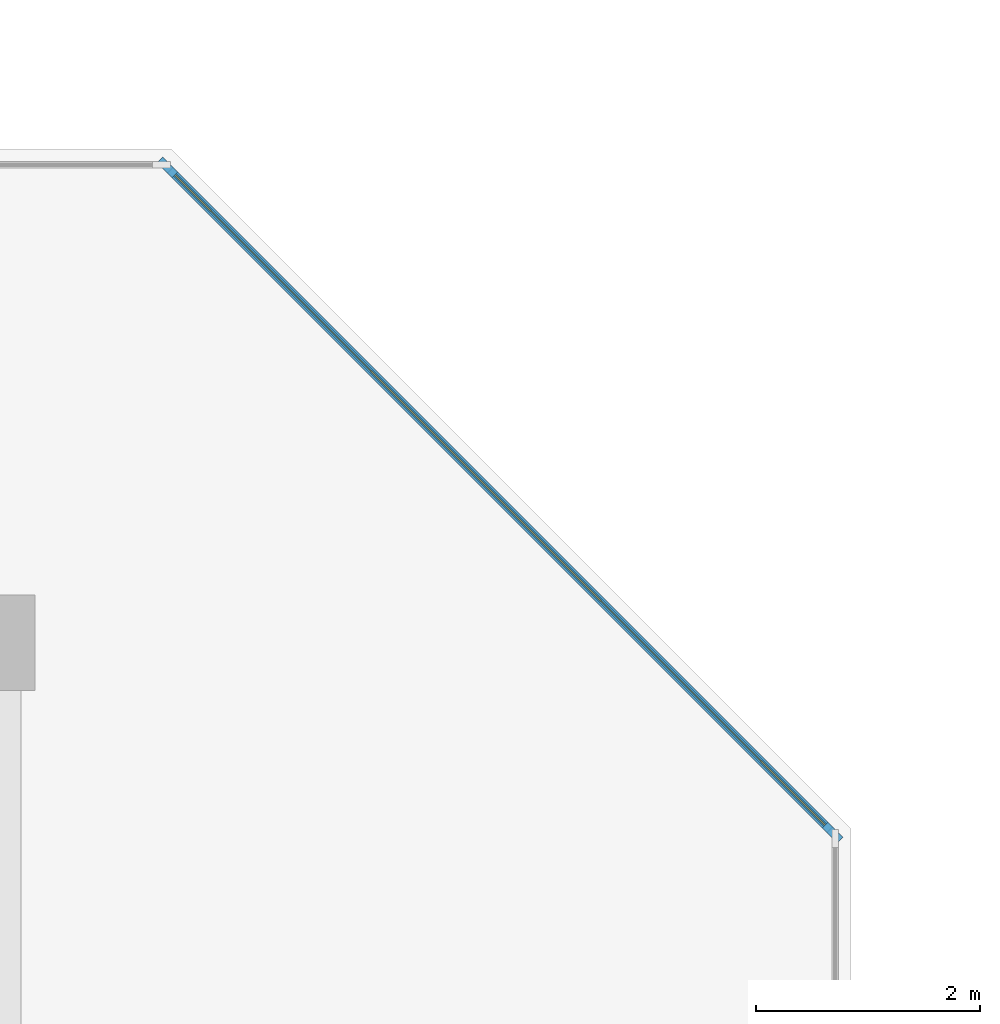
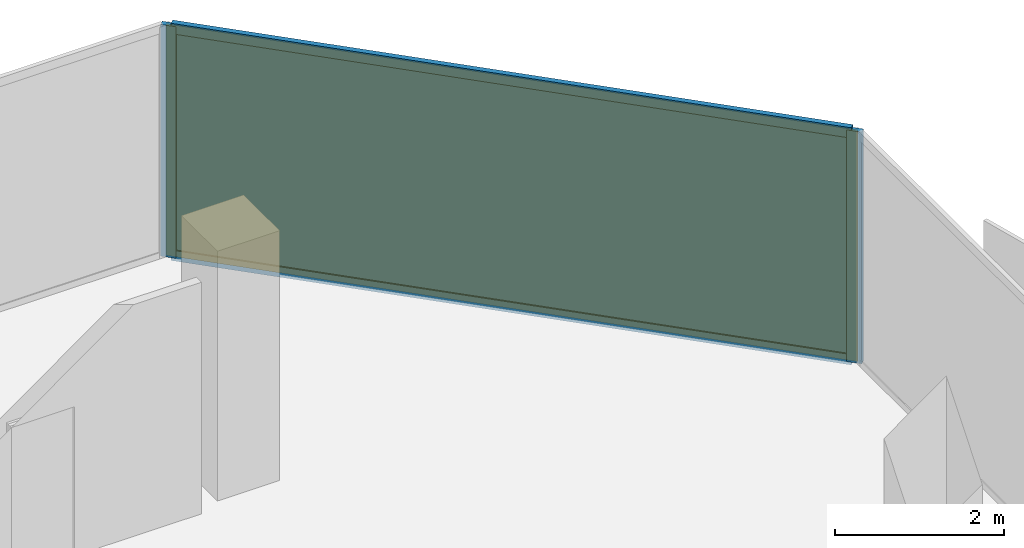
# One storey, part 12 of 16: 4 members, 1 curtain wall, 1 plate.
"""IFC4 building model written with IfcOpenShell, lengths in metres."""

from ifc_helpers import new_model, si_unit, direction, frame, frame_2d, origin, origin_2d, place, context, subcontext, project, spatial, rectangle, extrude, material, layer, layer_set, material_profile, profile_set, type_object, element, aggregate, save


model = new_model("IFC4")

# Units and contexts
model_context = context("Model", 3, precision=1e-05, world=origin(), true_north=direction((0.0, 1.0)))
body_context = subcontext(model_context, "Body", "Model", "MODEL_VIEW")
ifc_project = project(units=[si_unit("LENGTHUNIT", "METRE"), si_unit("AREAUNIT", "SQUARE_METRE"), si_unit("VOLUMEUNIT", "CUBIC_METRE"), si_unit("PLANEANGLEUNIT", "RADIAN"), si_unit("MASSUNIT", "GRAM", prefix="KILO")], contexts=[model_context])

# Member
ifc_material_1 = material(Name="Anodised Bronze Aluminium 6063-T6", Category="aluminium")
ifc_material_profile_1 = material_profile(ifc_material_1, rectangle(XDim=0.070068359375, YDim=0.18994140625, at=origin_2d()))
ifc_profile_set_1 = profile_set([ifc_material_profile_1], Name="Anodised Bronze Aluminium 6063-T6")
member_type_1 = type_object("IfcMemberType", Name="CW-SLC Mullion 70x190", PredefinedType="MULLION", material=ifc_profile_set_1)
site_placement = place(None, origin())
building_placement = place(site_placement, origin())
storey_placement = place(building_placement, frame((0.0, 0.0, 247.60009765625)))
member_1_placement = place(storey_placement, frame((16.0068359375, 24.835205078125, 0.0), z_axis=(0.0, 0.0, 1.0), x_axis=(0.707106781187, 0.707106781187, 0.0)))
member_1 = element("IfcMember", 1, at=member_1_placement, type_object=member_type_1, Name="CW-SLC mullion 1", PredefinedType="MULLION", context=body_context, shape_type="SweptSolid", body=[
    extrude(rectangle(XDim=0.070068359375, YDim=0.18994140625, at=origin_2d()), origin(), (0.0, 0.0, 1.0), 3.33984375),
])

member_2_placement = place(storey_placement, frame((21.935302734375, 18.90673828125, 0.0), z_axis=(0.0, 0.0, 1.0), x_axis=(0.707106781187, 0.707106781187, 0.0)))
member_2 = element("IfcMember", 2, at=member_2_placement, type_object=member_type_1, Name="CW-SLC mullion 2", PredefinedType="MULLION", context=body_context, shape_type="SweptSolid", body=[
    extrude(rectangle(XDim=0.070068359375, YDim=0.18994140625, at=origin_2d()), origin(), (0.0, 0.0, 1.0), 3.33984375),
])

ifc_material_2 = material(Name="Anodised Bronze Aluminium 6063-T6", Category="aluminium")
ifc_material_profile_2 = material_profile(ifc_material_2, rectangle(XDim=0.070068359375, YDim=0.14990234375, at=origin_2d()))
ifc_profile_set_2 = profile_set([ifc_material_profile_2], Name="Anodised Bronze Aluminium 6063-T6")
member_type_2 = type_object("IfcMemberType", Name="CW-SLC Transom 70x150", PredefinedType="USERDEFINED", material=ifc_profile_set_2)
member_3_placement = place(storey_placement, frame((16.031494140625, 24.810546875, 0.034912109375), z_axis=(0.707092098889, -0.707121463179, 0.0), x_axis=(0.707121463179, 0.707092098889, 0.0)))
member_3 = element("IfcMember", 3, at=member_3_placement, type_object=member_type_2, Name="CW-SLC transom 1.1", ObjectType="TRANSOM", PredefinedType="USERDEFINED", context=body_context, shape_type="SweptSolid", body=[
    extrude(rectangle(XDim=0.070068359375, YDim=0.14990234375, at=origin_2d()), origin(), (0.0, 0.0, 1.0), 8.314208984375),
])

member_4_placement = place(storey_placement, frame((16.031494140625, 24.810546875, 3.304931640625), z_axis=(0.707092098889, -0.707121463179, 0.0), x_axis=(0.707121463179, 0.707092098889, 0.0)))
member_4 = element("IfcMember", 4, at=member_4_placement, type_object=member_type_2, Name="CW-SLC transom 1.2", ObjectType="TRANSOM", PredefinedType="USERDEFINED", context=body_context, shape_type="SweptSolid", body=[
    extrude(rectangle(XDim=0.070068359375, YDim=0.14990234375, at=origin_2d()), origin(), (0.0, 0.0, 1.0), 8.314208984375),
])

# Plate
ifc_material_3 = material(Name="Low-E Solar Control Laminated Glass", Category="glass")
ifc_layer_1 = layer(ifc_material_3, 0.033935546875, Name="Low-E Solar Control Laminated Glass")
ifc_layer_set_1 = layer_set([ifc_layer_1], Name="Low-E Solar Control Laminated Glass")
plate_type = type_object("IfcPlateType", Name="CW-SLC Low-E Double Glazed Panel 34mm", PredefinedType="CURTAIN_PANEL", material=ifc_layer_set_1)
plate_placement = place(storey_placement, frame((18.970947265625, 21.87109375, 0.06982421875), z_axis=(0.0, 0.0, 1.0), x_axis=(0.707106781187, -0.707106781187, 0.0)))
plate = element("IfcPlate", 5, at=plate_placement, type_object=plate_type, Name="CW-SLC panel 1.1", PredefinedType="CURTAIN_PANEL", context=body_context, shape_type="SweptSolid", body=[
    extrude(rectangle(XDim=8.314208984375, YDim=0.033935546875, at=origin_2d()), origin(), (0.0, 0.0, 1.0), 3.199951171875),
])

# Site, building, storey
site = spatial("IfcSite", under=ifc_project, at=site_placement, CompositionType="ELEMENT")
building = spatial("IfcBuilding", under=site, at=building_placement, Name="Khairoan Windgate Tower", CompositionType="ELEMENT")
storey = spatial("IfcBuildingStorey", under=building, at=storey_placement, Name="L58", CompositionType="ELEMENT", Elevation=247.60009765625)

# Curtain wall
ifc_material_4 = material(Name="Anodised Bronze Aluminium 6063-T6", Category="aluminium")
ifc_layer_2 = layer(ifc_material_4, 0.18994140625, Name="Anodised Bronze Aluminium 6063-T6")
ifc_layer_set_2 = layer_set([ifc_layer_2], Name="Anodised Bronze Aluminium 6063-T6")
curtain_wall_type = type_object("IfcCurtainWallType", Name="Diagonal Corner-Slice Facet Curtain Wall CW-SLC", PredefinedType="NOTDEFINED", material=ifc_layer_set_2)
curtain_wall_placement = place(storey_placement, frame((15.98193359375, 24.860107421875, 0.0), z_axis=(0.0, 0.0, 1.0), x_axis=(0.707106781187, -0.707106781187, 0.0)))
curtain_wall = element("IfcCurtainWall", 6, at=curtain_wall_placement, inside=storey, type_object=curtain_wall_type, Name="L58 Crystal Slice Curtain Wall 10", PredefinedType="NOTDEFINED", context=body_context, shape_type="SweptSolid", body=[
    extrude(rectangle(XDim=8.4541015625, YDim=0.010009765625, at=frame_2d((4.22705078125, 0.0))), origin(), (0.0, 0.0, 1.0), 3.33984375),
])

aggregate(curtain_wall, [member_1, member_2, member_3, member_4, plate])

save(model, "model.ifc")
